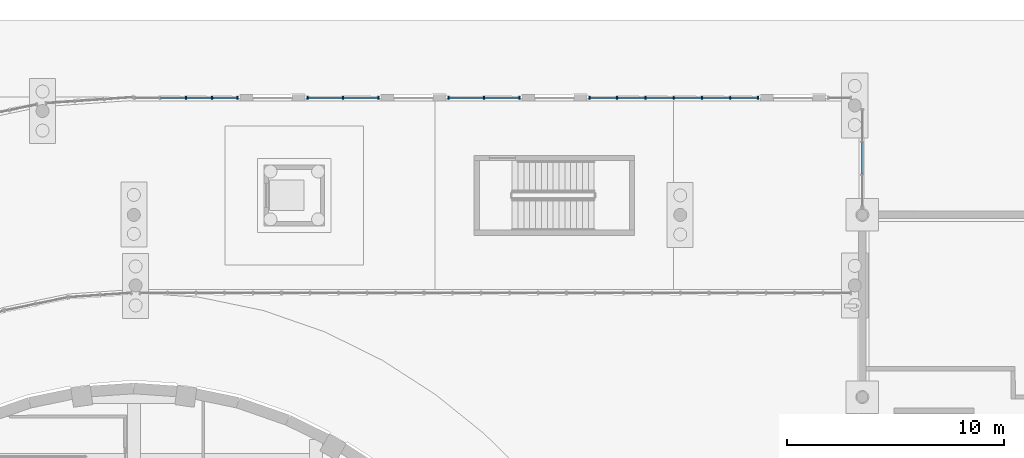
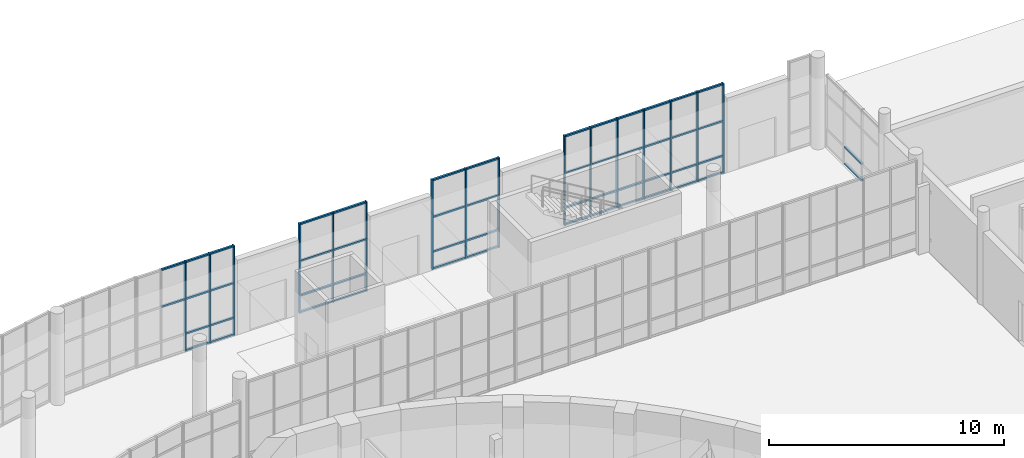
# One storey, part 36 of 110: 68 members, 5 elements without a shape of their own.
"""IFC4 building model written with IfcOpenShell, lengths in metres."""

import ifcopenshell
import ifcopenshell.guid

model = None  # the IFC model being written
_history = None  # IfcOwnerHistory: only IFC2X3 demands one
_inside = {}  # id of a spatial element -> (the spatial element, [elements in it])
_under = {}  # id of a project, library or spatial element -> (it, [spatial elements below it])
_declared = {}  # id of a project -> (the project, [libraries it declares])
_typed = {}  # id of a type object -> (the type object, [elements of that type])
_made_of = {}  # id of a material, layer set ... -> (it, [elements and type objects made of it])


def new_model(schema):
    """Start an empty IFC model of exactly this schema.

    Asked for "IFC4X3", IfcOpenShell would pick the latest addendum, in which some entities
    have other attributes; the version numbers below select the first issue.
    IFC2X3 requires an IfcOwnerHistory on every rooted entity: one is made here for all.
    """
    global model, _history
    if schema == "IFC4X3":
        model = ifcopenshell.file(schema_version=(4, 3, 0, 0))
    else:
        model = ifcopenshell.file(schema=schema)
    _inside.clear()
    _under.clear()
    _declared.clear()
    _typed.clear()
    _made_of.clear()
    _history = None
    if model.schema == "IFC2X3":
        org = make("IfcOrganization", Name="unknown")
        user = make(
            "IfcPersonAndOrganization",
            ThePerson=make("IfcPerson", FamilyName="unknown"),
            TheOrganization=org,
        )
        app = make(
            "IfcApplication",
            ApplicationDeveloper=org,
            Version="unknown",
            ApplicationFullName="unknown",
            ApplicationIdentifier="unknown",
        )
        _history = make(
            "IfcOwnerHistory",
            OwningUser=user,
            OwningApplication=app,
            ChangeAction="ADDED",
            CreationDate=0,
        )
    return model


def make(cls, **values):
    """One entity of the class cls with the attributes given. An attribute that is None is left unset."""
    return model.create_entity(
        cls, **{name: value for name, value in values.items() if value is not None}
    )


def rooted(cls, **values):
    """An entity with a GlobalId (a new one), such as an element, a storey or a relation."""
    return make(cls, GlobalId=ifcopenshell.guid.new(), OwnerHistory=_history, **values)


def si_unit(unit_type, name, prefix=None):
    """IfcSIUnit, for example si_unit("LENGTHUNIT", "METRE", prefix="MILLI")."""
    return make("IfcSIUnit", UnitType=unit_type, Prefix=prefix, Name=name)


def assignment(units):
    """IfcUnitAssignment: the units of a project."""
    return None if units is None else make("IfcUnitAssignment", Units=units)


def point(xyz):
    """IfcCartesianPoint."""
    return None if xyz is None else make("IfcCartesianPoint", Coordinates=xyz)


def direction(xyz):
    """IfcDirection."""
    return None if xyz is None else make("IfcDirection", DirectionRatios=xyz)


def frame(location, z_axis=None, x_axis=None):
    """IfcAxis2Placement3D, a coordinate frame: its origin and axes. An axis left out is left unset."""
    return make(
        "IfcAxis2Placement3D",
        Location=point(location),
        Axis=direction(z_axis),
        RefDirection=direction(x_axis),
    )


def frame_2d(location, x_axis=None):
    """IfcAxis2Placement2D, a coordinate frame in the plane: its origin and x axis."""
    return make(
        "IfcAxis2Placement2D", Location=point(location), RefDirection=direction(x_axis)
    )


def origin():
    """The frame at (0, 0, 0) with its axes left unset."""
    return frame((0.0, 0.0, 0.0))


def origin_2d():
    """The frame at (0, 0) in the plane with its x axis left unset."""
    return frame_2d((0.0, 0.0))


def place(relative_to, where):
    """IfcLocalPlacement: puts the frame where relative to a parent placement (None: the world)."""
    return make(
        "IfcLocalPlacement", PlacementRelTo=relative_to, RelativePlacement=where
    )


def context(
    kind, dimensions, precision=None, world=None, true_north=None, identifier=None
):
    """IfcGeometricRepresentationContext, for example the 3D "Model" context."""
    return make(
        "IfcGeometricRepresentationContext",
        ContextIdentifier=identifier,
        ContextType=kind,
        CoordinateSpaceDimension=dimensions,
        Precision=precision,
        WorldCoordinateSystem=world,
        TrueNorth=true_north,
    )


def subcontext(parent, identifier, kind, view, scale=None):
    """IfcGeometricRepresentationSubContext, for example "Body" below "Model"."""
    return make(
        "IfcGeometricRepresentationSubContext",
        ContextIdentifier=identifier,
        ContextType=kind,
        ParentContext=parent,
        TargetScale=scale,
        TargetView=view,
    )


def project(units=None, contexts=None):
    """IfcProject with its units and contexts."""
    return rooted(
        "IfcProject",
        Name="project",
        RepresentationContexts=contexts,
        UnitsInContext=assignment(units),
    )


def spatial(cls, under=None, at=None, **own):
    """A site, building, storey or space (cls), placed at a placement, below another one or the project."""
    s = rooted(cls, ObjectPlacement=at, **own)
    if under is not None:
        _under.setdefault(under.id(), (under, []))[1].append(s)
    return s


def profile(cls, at=None, kind="AREA", **sizes):
    """A parametric profile (cls). Its sizes go by their IFC names, for example OverallWidth=200.0."""
    return make(cls, ProfileType=kind, Position=at, **sizes)


def rectangle(**sizes):
    """IfcRectangleProfileDef."""
    return profile("IfcRectangleProfileDef", **sizes)


def extrude(swept, where, along, depth):
    """IfcExtrudedAreaSolid: the profile swept, set in the frame where, extruded along a direction by depth."""
    return make(
        "IfcExtrudedAreaSolid",
        SweptArea=swept,
        Position=where,
        ExtrudedDirection=direction(along),
        Depth=depth,
    )


def shape(context_of_items, identifier, shape_type, items):
    """IfcShapeRepresentation: the items that make up one representation, for example the "Body"."""
    return make(
        "IfcShapeRepresentation",
        ContextOfItems=context_of_items,
        RepresentationIdentifier=identifier,
        RepresentationType=shape_type,
        Items=items,
    )


def material(Name=None, Category=None):
    """IfcMaterial."""
    return make("IfcMaterial", Name=Name, Category=Category)


def layer(
    of_material, thickness, ventilated=None, Name=None, Category=None, Priority=None
):
    """IfcMaterialLayer: one layer of a wall or slab, of a material (None: an air gap)."""
    return make(
        "IfcMaterialLayer",
        Material=of_material,
        LayerThickness=thickness,
        IsVentilated=ventilated,
        Name=Name,
        Category=Category,
        Priority=Priority,
    )


def layer_set(layers, Name=None):
    """IfcMaterialLayerSet."""
    return make("IfcMaterialLayerSet", MaterialLayers=layers, LayerSetName=Name)


def material_profile(
    of_material, cross_section, Name=None, Category=None, Priority=None
):
    """IfcMaterialProfile: a cross section and its material."""
    return make(
        "IfcMaterialProfile",
        Name=Name,
        Material=of_material,
        Profile=cross_section,
        Priority=Priority,
        Category=Category,
    )


def profile_set(profiles, Name=None, composite=None):
    """IfcMaterialProfileSet."""
    return make(
        "IfcMaterialProfileSet",
        Name=Name,
        MaterialProfiles=profiles,
        CompositeProfile=composite,
    )


def made_of(thing, what):
    """Note that an element or type object is made of a material, layer set ...; save() writes the relation."""
    if what is not None:
        _made_of.setdefault(what.id(), (what, []))[1].append(thing)
    return thing


def type_object(cls, material=None, **own):
    """A type object (cls), such as IfcWallType, which elements share."""
    return made_of(rooted(cls, **own), material)


def element(
    cls,
    number,
    at=None,
    inside=None,
    cuts=None,
    type_object=None,
    material=None,
    context=None,
    identifier="Body",
    shape_type=None,
    held_by="IfcProductDefinitionShape",
    body=None,
    shapes=None,
    **own,
):
    """One element of the class cls, such as IfcWall. Its Tag is "e" and its number.

    at: its placement. inside: the storey or other place that contains it. cuts: it is an
    opening in that element (IfcRelVoidsElement). A single representation is given by context,
    identifier, shape_type and body (its items); several are given by shapes. held_by: the class
    of the entity that holds the representations. save() writes the other relations.
    """
    e = rooted(cls, Tag="e%d" % number, ObjectPlacement=at, **own)
    if body is not None:
        shapes = [shape(context, identifier, shape_type, body)]
    if shapes is not None:
        e.Representation = make(held_by, Representations=shapes)
    if inside is not None:
        _inside.setdefault(inside.id(), (inside, []))[1].append(e)
    if cuts is not None:
        rooted(
            "IfcRelVoidsElement", RelatingBuildingElement=cuts, RelatedOpeningElement=e
        )
    if type_object is not None:
        _typed.setdefault(type_object.id(), (type_object, []))[1].append(e)
    return made_of(e, material)


def aggregate(whole, parts):
    """IfcRelAggregates: a whole, such as a stair, and the parts it consists of."""
    return rooted("IfcRelAggregates", RelatingObject=whole, RelatedObjects=parts)


def save(model, path):
    """Write the relations noted so far, then the file.

    IfcRelAggregates (storeys below a building ...), IfcRelContainedInSpatialStructure (elements
    in a storey), IfcRelDefinesByType, IfcRelAssociatesMaterial and IfcRelDeclares: one each for
    every whole, place, type object, material and project.
    """
    for whole, parts in _under.values():
        aggregate(whole, parts)
    for where, things in _inside.values():
        rooted(
            "IfcRelContainedInSpatialStructure",
            RelatedElements=things,
            RelatingStructure=where,
        )
    for kind, things in _typed.values():
        rooted("IfcRelDefinesByType", RelatedObjects=things, RelatingType=kind)
    for what, things in _made_of.values():
        rooted("IfcRelAssociatesMaterial", RelatedObjects=things, RelatingMaterial=what)
    for by, libraries in _declared.values():
        rooted("IfcRelDeclares", RelatingContext=by, RelatedDefinitions=libraries)
    model.write(path)


model = new_model("IFC4")

# Units and contexts
model_context = context("Model", 3, precision=1e-05, world=origin(), true_north=direction((0.0, 1.0)))
body_context = subcontext(model_context, "Body", "Model", "MODEL_VIEW")
ifc_project = project(units=[si_unit("LENGTHUNIT", "METRE"), si_unit("AREAUNIT", "SQUARE_METRE"), si_unit("VOLUMEUNIT", "CUBIC_METRE"), si_unit("PLANEANGLEUNIT", "RADIAN"), si_unit("MASSUNIT", "GRAM", prefix="KILO")], contexts=[model_context])

# Site, building, storey
site_placement = place(None, origin())
site = spatial("IfcSite", under=ifc_project, at=site_placement, CompositionType="ELEMENT")
building_placement = place(site_placement, origin())
building = spatial("IfcBuilding", under=site, at=building_placement, Name="Larchfold Concert Hall", CompositionType="ELEMENT")
storey_placement = place(building_placement, origin())
storey = spatial("IfcBuildingStorey", under=building, at=storey_placement, Name="L00", CompositionType="ELEMENT", Elevation=0.0)

# Curtain wall, members
ifc_material_1 = material(Name="Anodised graphite aluminium curtain wall", Category="aluminium")
ifc_layer = layer(ifc_material_1, 0.14990234375)
ifc_layer_set = layer_set([ifc_layer], Name="Anodised graphite aluminium curtain wall")
curtain_wall_type = type_object("IfcCurtainWallType", Name="Curtain wall WG", PredefinedType="NOTDEFINED", material=ifc_layer_set)
curtain_wall_1_placement = place(storey_placement, origin())
curtain_wall_1 = element("IfcCurtainWall", 1, at=curtain_wall_1_placement, inside=storey, type_object=curtain_wall_type, Name="Curtain wall CW0097", PredefinedType="NOTDEFINED")
ifc_material_2 = material(Name="Anodised graphite aluminium mullion", Category="aluminium")
ifc_material_profile_1 = material_profile(ifc_material_2, rectangle(XDim=0.14990234375, YDim=0.06005859375, at=origin_2d()))
ifc_profile_set_1 = profile_set([ifc_material_profile_1], Name="Anodised graphite aluminium mullion")
member_type_1 = type_object("IfcMemberType", Name="Aluminium mullion 60x150", PredefinedType="MULLION", material=ifc_profile_set_1)
member_1_placement = place(storey_placement, frame((71.385009765625, 132.0, 0.0), z_axis=(0.0, 0.0, 1.0), x_axis=(0.0, -1.0, 0.0)))
member_1 = element("IfcMember", 2, at=member_1_placement, type_object=member_type_1, Name="CW0097 mullion 1", PredefinedType="MULLION", context=body_context, shape_type="SweptSolid", body=[
    extrude(rectangle(XDim=0.14990234375, YDim=0.06005859375, at=origin_2d()), origin(), (0.0, 0.0, 1.0), 4.64990234375),
])
member_2_placement = place(storey_placement, frame((70.110107421875, 132.0, 0.0), z_axis=(0.0, 0.0, 1.0), x_axis=(0.0, -1.0, 0.0)))
member_2 = element("IfcMember", 3, at=member_2_placement, type_object=member_type_1, Name="CW0097 mullion 2", PredefinedType="MULLION", context=body_context, shape_type="SweptSolid", body=[
    extrude(rectangle(XDim=0.14990234375, YDim=0.06005859375, at=origin_2d()), origin(), (0.0, 0.0, 1.0), 4.64990234375),
])
member_3_placement = place(storey_placement, frame((68.804931640625, 132.0, 0.0), z_axis=(0.0, 0.0, 1.0), x_axis=(0.0, -1.0, 0.0)))
member_3 = element("IfcMember", 4, at=member_3_placement, type_object=member_type_1, Name="CW0097 mullion 3", PredefinedType="MULLION", context=body_context, shape_type="SweptSolid", body=[
    extrude(rectangle(XDim=0.14990234375, YDim=0.06005859375, at=origin_2d()), origin(), (0.0, 0.0, 1.0), 4.64990234375),
])
member_4_placement = place(storey_placement, frame((67.5, 132.0, 0.0), z_axis=(0.0, 0.0, 1.0), x_axis=(0.0, -1.0, 0.0)))
member_4 = element("IfcMember", 5, at=member_4_placement, type_object=member_type_1, Name="CW0097 mullion 4", PredefinedType="MULLION", context=body_context, shape_type="SweptSolid", body=[
    extrude(rectangle(XDim=0.14990234375, YDim=0.06005859375, at=origin_2d()), origin(), (0.0, 0.0, 1.0), 4.64990234375),
])
member_5_placement = place(storey_placement, frame((66.195068359375, 132.0, 0.0), z_axis=(0.0, 0.0, 1.0), x_axis=(0.0, -1.0, 0.0)))
member_5 = element("IfcMember", 6, at=member_5_placement, type_object=member_type_1, Name="CW0097 mullion 5", PredefinedType="MULLION", context=body_context, shape_type="SweptSolid", body=[
    extrude(rectangle(XDim=0.14990234375, YDim=0.06005859375, at=origin_2d()), origin(), (0.0, 0.0, 1.0), 4.64990234375),
])
member_6_placement = place(storey_placement, frame((64.889892578125, 132.0, 0.0), z_axis=(0.0, 0.0, 1.0), x_axis=(0.0, -1.0, 0.0)))
member_6 = element("IfcMember", 7, at=member_6_placement, type_object=member_type_1, Name="CW0097 mullion 6", PredefinedType="MULLION", context=body_context, shape_type="SweptSolid", body=[
    extrude(rectangle(XDim=0.14990234375, YDim=0.06005859375, at=origin_2d()), origin(), (0.0, 0.0, 1.0), 4.64990234375),
])
member_7_placement = place(storey_placement, frame((63.614990234375, 132.0, 0.0), z_axis=(0.0, 0.0, 1.0), x_axis=(0.0, -1.0, 0.0)))
member_7 = element("IfcMember", 8, at=member_7_placement, type_object=member_type_1, Name="CW0097 mullion 7", PredefinedType="MULLION", context=body_context, shape_type="SweptSolid", body=[
    extrude(rectangle(XDim=0.14990234375, YDim=0.06005859375, at=origin_2d()), origin(), (0.0, 0.0, 1.0), 4.64990234375),
])

curtain_wall_2_placement = place(storey_placement, origin())
curtain_wall_2 = element("IfcCurtainWall", 9, at=curtain_wall_2_placement, inside=storey, type_object=curtain_wall_type, Name="Curtain wall CW0098", PredefinedType="NOTDEFINED")
member_8_placement = place(storey_placement, frame((60.385009765625, 132.0, 0.0), z_axis=(0.0, 0.0, 1.0), x_axis=(0.0, -1.0, 0.0)))
member_8 = element("IfcMember", 10, at=member_8_placement, type_object=member_type_1, Name="CW0098 mullion 1", PredefinedType="MULLION", context=body_context, shape_type="SweptSolid", body=[
    extrude(rectangle(XDim=0.14990234375, YDim=0.06005859375, at=origin_2d()), origin(), (0.0, 0.0, 1.0), 4.64990234375),
])
member_9_placement = place(storey_placement, frame((58.75, 132.0, 0.0), z_axis=(0.0, 0.0, 1.0), x_axis=(0.0, -1.0, 0.0)))
member_9 = element("IfcMember", 11, at=member_9_placement, type_object=member_type_1, Name="CW0098 mullion 2", PredefinedType="MULLION", context=body_context, shape_type="SweptSolid", body=[
    extrude(rectangle(XDim=0.14990234375, YDim=0.06005859375, at=origin_2d()), origin(), (0.0, 0.0, 1.0), 4.64990234375),
])
member_10_placement = place(storey_placement, frame((57.114990234375, 132.0, 0.0), z_axis=(0.0, 0.0, 1.0), x_axis=(0.0, -1.0, 0.0)))
member_10 = element("IfcMember", 12, at=member_10_placement, type_object=member_type_1, Name="CW0098 mullion 3", PredefinedType="MULLION", context=body_context, shape_type="SweptSolid", body=[
    extrude(rectangle(XDim=0.14990234375, YDim=0.06005859375, at=origin_2d()), origin(), (0.0, 0.0, 1.0), 4.64990234375),
])

curtain_wall_3_placement = place(storey_placement, origin())
curtain_wall_3 = element("IfcCurtainWall", 13, at=curtain_wall_3_placement, inside=storey, type_object=curtain_wall_type, Name="Curtain wall CW0099", PredefinedType="NOTDEFINED")
member_11_placement = place(storey_placement, frame((53.885009765625, 132.0, 0.0), z_axis=(0.0, 0.0, 1.0), x_axis=(0.0, -1.0, 0.0)))
member_11 = element("IfcMember", 14, at=member_11_placement, type_object=member_type_1, Name="CW0099 mullion 1", PredefinedType="MULLION", context=body_context, shape_type="SweptSolid", body=[
    extrude(rectangle(XDim=0.14990234375, YDim=0.06005859375, at=origin_2d()), origin(), (0.0, 0.0, 1.0), 4.64990234375),
])
member_12_placement = place(storey_placement, frame((52.25, 132.0, 0.0), z_axis=(0.0, 0.0, 1.0), x_axis=(0.0, -1.0, 0.0)))
member_12 = element("IfcMember", 15, at=member_12_placement, type_object=member_type_1, Name="CW0099 mullion 2", PredefinedType="MULLION", context=body_context, shape_type="SweptSolid", body=[
    extrude(rectangle(XDim=0.14990234375, YDim=0.06005859375, at=origin_2d()), origin(), (0.0, 0.0, 1.0), 4.64990234375),
])
member_13_placement = place(storey_placement, frame((50.614990234375, 132.0, 0.0), z_axis=(0.0, 0.0, 1.0), x_axis=(0.0, -1.0, 0.0)))
member_13 = element("IfcMember", 16, at=member_13_placement, type_object=member_type_1, Name="CW0099 mullion 3", PredefinedType="MULLION", context=body_context, shape_type="SweptSolid", body=[
    extrude(rectangle(XDim=0.14990234375, YDim=0.06005859375, at=origin_2d()), origin(), (0.0, 0.0, 1.0), 4.64990234375),
])

curtain_wall_4_placement = place(storey_placement, origin())
curtain_wall_4 = element("IfcCurtainWall", 17, at=curtain_wall_4_placement, inside=storey, type_object=curtain_wall_type, Name="Curtain wall CW0100", PredefinedType="NOTDEFINED")
member_14_placement = place(storey_placement, frame((47.385009765625, 132.0, 0.0), z_axis=(0.0, 0.0, 1.0), x_axis=(0.0, -1.0, 0.0)))
member_14 = element("IfcMember", 18, at=member_14_placement, type_object=member_type_1, Name="CW0100 mullion 1", PredefinedType="MULLION", context=body_context, shape_type="SweptSolid", body=[
    extrude(rectangle(XDim=0.14990234375, YDim=0.06005859375, at=origin_2d()), origin(), (0.0, 0.0, 1.0), 4.64990234375),
])
member_15_placement = place(storey_placement, frame((46.211181640625, 132.0, 0.0), z_axis=(0.0, 0.0, 1.0), x_axis=(0.0, -1.0, 0.0)))
member_15 = element("IfcMember", 19, at=member_15_placement, type_object=member_type_1, Name="CW0100 mullion 2", PredefinedType="MULLION", context=body_context, shape_type="SweptSolid", body=[
    extrude(rectangle(XDim=0.14990234375, YDim=0.06005859375, at=origin_2d()), origin(), (0.0, 0.0, 1.0), 4.64990234375),
])
member_16_placement = place(storey_placement, frame((45.007568359375, 132.0, 0.0), z_axis=(0.0, 0.0, 1.0), x_axis=(0.0, -1.0, 0.0)))
member_16 = element("IfcMember", 20, at=member_16_placement, type_object=member_type_1, Name="CW0100 mullion 3", PredefinedType="MULLION", context=body_context, shape_type="SweptSolid", body=[
    extrude(rectangle(XDim=0.14990234375, YDim=0.06005859375, at=origin_2d()), origin(), (0.0, 0.0, 1.0), 4.64990234375),
])

curtain_wall_5_placement = place(storey_placement, origin())
curtain_wall_5 = element("IfcCurtainWall", 21, at=curtain_wall_5_placement, inside=storey, type_object=curtain_wall_type, Name="Curtain wall CW0095", PredefinedType="NOTDEFINED")
ifc_material_3 = material(Name="Anodised graphite aluminium transom", Category="aluminium")
ifc_material_profile_2 = material_profile(ifc_material_3, rectangle(XDim=0.10009765625, YDim=0.080078125, at=origin_2d()))
ifc_profile_set_2 = profile_set([ifc_material_profile_2], Name="Anodised graphite aluminium transom")
member_type_2 = type_object("IfcMemberType", Name="Aluminium transom 80x100", PredefinedType="USERDEFINED", material=ifc_profile_set_2)
member_17_placement = place(storey_placement, frame((76.199951171875, 128.484619140625, 0.0400390625), z_axis=(0.0, 1.0, 0.0), x_axis=(-1.0, 0.0, 0.0)))
member_17 = element("IfcMember", 22, at=member_17_placement, type_object=member_type_2, Name="CW0095 transom 2.1", ObjectType="TRANSOM", PredefinedType="USERDEFINED", context=body_context, shape_type="SweptSolid", body=[
    extrude(rectangle(XDim=0.10009765625, YDim=0.080078125, at=origin_2d()), origin(), (0.0, 0.0, 1.0), 1.458740234375),
])
member_18_placement = place(storey_placement, frame((76.199951171875, 128.484619140625, 0.89990234375), z_axis=(0.0, 1.0, 0.0), x_axis=(-1.0, 0.0, 0.0)))
member_18 = element("IfcMember", 23, at=member_18_placement, type_object=member_type_2, Name="CW0095 transom 2.2", ObjectType="TRANSOM", PredefinedType="USERDEFINED", context=body_context, shape_type="SweptSolid", body=[
    extrude(rectangle(XDim=0.10009765625, YDim=0.080078125, at=origin_2d()), origin(), (0.0, 0.0, 1.0), 1.458740234375),
])
aggregate(curtain_wall_5, [member_17, member_18])

# Member
member_19_placement = place(storey_placement, frame((71.35498046875, 132.0, 0.0400390625), z_axis=(-1.0, 0.0, 0.0), x_axis=(0.0, -1.0, 0.0)))
member_19 = element("IfcMember", 24, at=member_19_placement, type_object=member_type_2, Name="CW0097 transom 1.1", ObjectType="TRANSOM", PredefinedType="USERDEFINED", context=body_context, shape_type="SweptSolid", body=[
    extrude(rectangle(XDim=0.10009765625, YDim=0.080078125, at=origin_2d()), origin(), (0.0, 0.0, 1.0), 1.21484375),
])

member_20_placement = place(storey_placement, frame((71.35498046875, 132.0, 0.89990234375), z_axis=(-1.0, 0.0, 0.0), x_axis=(0.0, -1.0, 0.0)))
member_20 = element("IfcMember", 25, at=member_20_placement, type_object=member_type_2, Name="CW0097 transom 1.2", ObjectType="TRANSOM", PredefinedType="USERDEFINED", context=body_context, shape_type="SweptSolid", body=[
    extrude(rectangle(XDim=0.10009765625, YDim=0.080078125, at=origin_2d()), origin(), (0.0, 0.0, 1.0), 1.21484375),
])

member_21_placement = place(storey_placement, frame((71.35498046875, 132.0, 2.699951171875), z_axis=(-1.0, 0.0, 0.0), x_axis=(0.0, -1.0, 0.0)))
member_21 = element("IfcMember", 26, at=member_21_placement, type_object=member_type_2, Name="CW0097 transom 1.3", ObjectType="TRANSOM", PredefinedType="USERDEFINED", context=body_context, shape_type="SweptSolid", body=[
    extrude(rectangle(XDim=0.10009765625, YDim=0.080078125, at=origin_2d()), origin(), (0.0, 0.0, 1.0), 1.21484375),
])

member_22_placement = place(storey_placement, frame((71.35498046875, 132.0, 4.60986328125), z_axis=(-1.0, 0.0, 0.0), x_axis=(0.0, -1.0, 0.0)))
member_22 = element("IfcMember", 27, at=member_22_placement, type_object=member_type_2, Name="CW0097 transom 1.4", ObjectType="TRANSOM", PredefinedType="USERDEFINED", context=body_context, shape_type="SweptSolid", body=[
    extrude(rectangle(XDim=0.10009765625, YDim=0.080078125, at=origin_2d()), origin(), (0.0, 0.0, 1.0), 1.21484375),
])

member_23_placement = place(storey_placement, frame((70.080078125, 132.0, 0.0400390625), z_axis=(-1.0, 0.0, 0.0), x_axis=(0.0, -1.0, 0.0)))
member_23 = element("IfcMember", 28, at=member_23_placement, type_object=member_type_2, Name="CW0097 transom 2.1", ObjectType="TRANSOM", PredefinedType="USERDEFINED", context=body_context, shape_type="SweptSolid", body=[
    extrude(rectangle(XDim=0.10009765625, YDim=0.080078125, at=origin_2d()), origin(), (0.0, 0.0, 1.0), 1.2451171875),
])

member_24_placement = place(storey_placement, frame((70.080078125, 132.0, 0.89990234375), z_axis=(-1.0, 0.0, 0.0), x_axis=(0.0, -1.0, 0.0)))
member_24 = element("IfcMember", 29, at=member_24_placement, type_object=member_type_2, Name="CW0097 transom 2.2", ObjectType="TRANSOM", PredefinedType="USERDEFINED", context=body_context, shape_type="SweptSolid", body=[
    extrude(rectangle(XDim=0.10009765625, YDim=0.080078125, at=origin_2d()), origin(), (0.0, 0.0, 1.0), 1.2451171875),
])

member_25_placement = place(storey_placement, frame((70.080078125, 132.0, 2.699951171875), z_axis=(-1.0, 0.0, 0.0), x_axis=(0.0, -1.0, 0.0)))
member_25 = element("IfcMember", 30, at=member_25_placement, type_object=member_type_2, Name="CW0097 transom 2.3", ObjectType="TRANSOM", PredefinedType="USERDEFINED", context=body_context, shape_type="SweptSolid", body=[
    extrude(rectangle(XDim=0.10009765625, YDim=0.080078125, at=origin_2d()), origin(), (0.0, 0.0, 1.0), 1.2451171875),
])

member_26_placement = place(storey_placement, frame((70.080078125, 132.0, 4.60986328125), z_axis=(-1.0, 0.0, 0.0), x_axis=(0.0, -1.0, 0.0)))
member_26 = element("IfcMember", 31, at=member_26_placement, type_object=member_type_2, Name="CW0097 transom 2.4", ObjectType="TRANSOM", PredefinedType="USERDEFINED", context=body_context, shape_type="SweptSolid", body=[
    extrude(rectangle(XDim=0.10009765625, YDim=0.080078125, at=origin_2d()), origin(), (0.0, 0.0, 1.0), 1.2451171875),
])

member_27_placement = place(storey_placement, frame((68.77490234375, 132.0, 0.0400390625), z_axis=(-1.0, 0.0, 0.0), x_axis=(0.0, -1.0, 0.0)))
member_27 = element("IfcMember", 32, at=member_27_placement, type_object=member_type_2, Name="CW0097 transom 3.1", ObjectType="TRANSOM", PredefinedType="USERDEFINED", context=body_context, shape_type="SweptSolid", body=[
    extrude(rectangle(XDim=0.10009765625, YDim=0.080078125, at=origin_2d()), origin(), (0.0, 0.0, 1.0), 1.244873046875),
])

member_28_placement = place(storey_placement, frame((68.77490234375, 132.0, 0.89990234375), z_axis=(-1.0, 0.0, 0.0), x_axis=(0.0, -1.0, 0.0)))
member_28 = element("IfcMember", 33, at=member_28_placement, type_object=member_type_2, Name="CW0097 transom 3.2", ObjectType="TRANSOM", PredefinedType="USERDEFINED", context=body_context, shape_type="SweptSolid", body=[
    extrude(rectangle(XDim=0.10009765625, YDim=0.080078125, at=origin_2d()), origin(), (0.0, 0.0, 1.0), 1.244873046875),
])

member_29_placement = place(storey_placement, frame((68.77490234375, 132.0, 2.699951171875), z_axis=(-1.0, 0.0, 0.0), x_axis=(0.0, -1.0, 0.0)))
member_29 = element("IfcMember", 34, at=member_29_placement, type_object=member_type_2, Name="CW0097 transom 3.3", ObjectType="TRANSOM", PredefinedType="USERDEFINED", context=body_context, shape_type="SweptSolid", body=[
    extrude(rectangle(XDim=0.10009765625, YDim=0.080078125, at=origin_2d()), origin(), (0.0, 0.0, 1.0), 1.244873046875),
])

member_30_placement = place(storey_placement, frame((68.77490234375, 132.0, 4.60986328125), z_axis=(-1.0, 0.0, 0.0), x_axis=(0.0, -1.0, 0.0)))
member_30 = element("IfcMember", 35, at=member_30_placement, type_object=member_type_2, Name="CW0097 transom 3.4", ObjectType="TRANSOM", PredefinedType="USERDEFINED", context=body_context, shape_type="SweptSolid", body=[
    extrude(rectangle(XDim=0.10009765625, YDim=0.080078125, at=origin_2d()), origin(), (0.0, 0.0, 1.0), 1.244873046875),
])

member_31_placement = place(storey_placement, frame((67.469970703125, 132.0, 0.0400390625), z_axis=(-1.0, 0.0, 0.0), x_axis=(0.0, -1.0, 0.0)))
member_31 = element("IfcMember", 36, at=member_31_placement, type_object=member_type_2, Name="CW0097 transom 4.1", ObjectType="TRANSOM", PredefinedType="USERDEFINED", context=body_context, shape_type="SweptSolid", body=[
    extrude(rectangle(XDim=0.10009765625, YDim=0.080078125, at=origin_2d()), origin(), (0.0, 0.0, 1.0), 1.244873046875),
])

member_32_placement = place(storey_placement, frame((67.469970703125, 132.0, 0.89990234375), z_axis=(-1.0, 0.0, 0.0), x_axis=(0.0, -1.0, 0.0)))
member_32 = element("IfcMember", 37, at=member_32_placement, type_object=member_type_2, Name="CW0097 transom 4.2", ObjectType="TRANSOM", PredefinedType="USERDEFINED", context=body_context, shape_type="SweptSolid", body=[
    extrude(rectangle(XDim=0.10009765625, YDim=0.080078125, at=origin_2d()), origin(), (0.0, 0.0, 1.0), 1.244873046875),
])

member_33_placement = place(storey_placement, frame((67.469970703125, 132.0, 2.699951171875), z_axis=(-1.0, 0.0, 0.0), x_axis=(0.0, -1.0, 0.0)))
member_33 = element("IfcMember", 38, at=member_33_placement, type_object=member_type_2, Name="CW0097 transom 4.3", ObjectType="TRANSOM", PredefinedType="USERDEFINED", context=body_context, shape_type="SweptSolid", body=[
    extrude(rectangle(XDim=0.10009765625, YDim=0.080078125, at=origin_2d()), origin(), (0.0, 0.0, 1.0), 1.244873046875),
])

member_34_placement = place(storey_placement, frame((67.469970703125, 132.0, 4.60986328125), z_axis=(-1.0, 0.0, 0.0), x_axis=(0.0, -1.0, 0.0)))
member_34 = element("IfcMember", 39, at=member_34_placement, type_object=member_type_2, Name="CW0097 transom 4.4", ObjectType="TRANSOM", PredefinedType="USERDEFINED", context=body_context, shape_type="SweptSolid", body=[
    extrude(rectangle(XDim=0.10009765625, YDim=0.080078125, at=origin_2d()), origin(), (0.0, 0.0, 1.0), 1.244873046875),
])

member_35_placement = place(storey_placement, frame((66.1650390625, 132.0, 0.0400390625), z_axis=(-1.0, 0.0, 0.0), x_axis=(0.0, -1.0, 0.0)))
member_35 = element("IfcMember", 40, at=member_35_placement, type_object=member_type_2, Name="CW0097 transom 5.1", ObjectType="TRANSOM", PredefinedType="USERDEFINED", context=body_context, shape_type="SweptSolid", body=[
    extrude(rectangle(XDim=0.10009765625, YDim=0.080078125, at=origin_2d()), origin(), (0.0, 0.0, 1.0), 1.2451171875),
])

member_36_placement = place(storey_placement, frame((66.1650390625, 132.0, 0.89990234375), z_axis=(-1.0, 0.0, 0.0), x_axis=(0.0, -1.0, 0.0)))
member_36 = element("IfcMember", 41, at=member_36_placement, type_object=member_type_2, Name="CW0097 transom 5.2", ObjectType="TRANSOM", PredefinedType="USERDEFINED", context=body_context, shape_type="SweptSolid", body=[
    extrude(rectangle(XDim=0.10009765625, YDim=0.080078125, at=origin_2d()), origin(), (0.0, 0.0, 1.0), 1.2451171875),
])

member_37_placement = place(storey_placement, frame((66.1650390625, 132.0, 2.699951171875), z_axis=(-1.0, 0.0, 0.0), x_axis=(0.0, -1.0, 0.0)))
member_37 = element("IfcMember", 42, at=member_37_placement, type_object=member_type_2, Name="CW0097 transom 5.3", ObjectType="TRANSOM", PredefinedType="USERDEFINED", context=body_context, shape_type="SweptSolid", body=[
    extrude(rectangle(XDim=0.10009765625, YDim=0.080078125, at=origin_2d()), origin(), (0.0, 0.0, 1.0), 1.2451171875),
])

member_38_placement = place(storey_placement, frame((66.1650390625, 132.0, 4.60986328125), z_axis=(-1.0, 0.0, 0.0), x_axis=(0.0, -1.0, 0.0)))
member_38 = element("IfcMember", 43, at=member_38_placement, type_object=member_type_2, Name="CW0097 transom 5.4", ObjectType="TRANSOM", PredefinedType="USERDEFINED", context=body_context, shape_type="SweptSolid", body=[
    extrude(rectangle(XDim=0.10009765625, YDim=0.080078125, at=origin_2d()), origin(), (0.0, 0.0, 1.0), 1.2451171875),
])

member_39_placement = place(storey_placement, frame((64.85986328125, 132.0, 0.0400390625), z_axis=(-1.0, 0.0, 0.0), x_axis=(0.0, -1.0, 0.0)))
member_39 = element("IfcMember", 44, at=member_39_placement, type_object=member_type_2, Name="CW0097 transom 6.1", ObjectType="TRANSOM", PredefinedType="USERDEFINED", context=body_context, shape_type="SweptSolid", body=[
    extrude(rectangle(XDim=0.10009765625, YDim=0.080078125, at=origin_2d()), origin(), (0.0, 0.0, 1.0), 1.21484375),
])

member_40_placement = place(storey_placement, frame((64.85986328125, 132.0, 0.89990234375), z_axis=(-1.0, 0.0, 0.0), x_axis=(0.0, -1.0, 0.0)))
member_40 = element("IfcMember", 45, at=member_40_placement, type_object=member_type_2, Name="CW0097 transom 6.2", ObjectType="TRANSOM", PredefinedType="USERDEFINED", context=body_context, shape_type="SweptSolid", body=[
    extrude(rectangle(XDim=0.10009765625, YDim=0.080078125, at=origin_2d()), origin(), (0.0, 0.0, 1.0), 1.21484375),
])

member_41_placement = place(storey_placement, frame((64.85986328125, 132.0, 2.699951171875), z_axis=(-1.0, 0.0, 0.0), x_axis=(0.0, -1.0, 0.0)))
member_41 = element("IfcMember", 46, at=member_41_placement, type_object=member_type_2, Name="CW0097 transom 6.3", ObjectType="TRANSOM", PredefinedType="USERDEFINED", context=body_context, shape_type="SweptSolid", body=[
    extrude(rectangle(XDim=0.10009765625, YDim=0.080078125, at=origin_2d()), origin(), (0.0, 0.0, 1.0), 1.21484375),
])

member_42_placement = place(storey_placement, frame((64.85986328125, 132.0, 4.60986328125), z_axis=(-1.0, 0.0, 0.0), x_axis=(0.0, -1.0, 0.0)))
member_42 = element("IfcMember", 47, at=member_42_placement, type_object=member_type_2, Name="CW0097 transom 6.4", ObjectType="TRANSOM", PredefinedType="USERDEFINED", context=body_context, shape_type="SweptSolid", body=[
    extrude(rectangle(XDim=0.10009765625, YDim=0.080078125, at=origin_2d()), origin(), (0.0, 0.0, 1.0), 1.21484375),
])

aggregate(curtain_wall_1, [member_1, member_2, member_3, member_4, member_5, member_6, member_7, member_19, member_20, member_21, member_22, member_23, member_24, member_25, member_26, member_27, member_28, member_29, member_30, member_31, member_32, member_33, member_34, member_35, member_36, member_37, member_38, member_39, member_40, member_41, member_42])

member_43_placement = place(storey_placement, frame((60.35498046875, 132.0, 0.0400390625), z_axis=(-1.0, 0.0, 0.0), x_axis=(0.0, -1.0, 0.0)))
member_43 = element("IfcMember", 48, at=member_43_placement, type_object=member_type_2, Name="CW0098 transom 1.1", ObjectType="TRANSOM", PredefinedType="USERDEFINED", context=body_context, shape_type="SweptSolid", body=[
    extrude(rectangle(XDim=0.10009765625, YDim=0.080078125, at=origin_2d()), origin(), (0.0, 0.0, 1.0), 1.574951171875),
])

member_44_placement = place(storey_placement, frame((60.35498046875, 132.0, 0.89990234375), z_axis=(-1.0, 0.0, 0.0), x_axis=(0.0, -1.0, 0.0)))
member_44 = element("IfcMember", 49, at=member_44_placement, type_object=member_type_2, Name="CW0098 transom 1.2", ObjectType="TRANSOM", PredefinedType="USERDEFINED", context=body_context, shape_type="SweptSolid", body=[
    extrude(rectangle(XDim=0.10009765625, YDim=0.080078125, at=origin_2d()), origin(), (0.0, 0.0, 1.0), 1.574951171875),
])

member_45_placement = place(storey_placement, frame((60.35498046875, 132.0, 2.699951171875), z_axis=(-1.0, 0.0, 0.0), x_axis=(0.0, -1.0, 0.0)))
member_45 = element("IfcMember", 50, at=member_45_placement, type_object=member_type_2, Name="CW0098 transom 1.3", ObjectType="TRANSOM", PredefinedType="USERDEFINED", context=body_context, shape_type="SweptSolid", body=[
    extrude(rectangle(XDim=0.10009765625, YDim=0.080078125, at=origin_2d()), origin(), (0.0, 0.0, 1.0), 1.574951171875),
])

member_46_placement = place(storey_placement, frame((60.35498046875, 132.0, 4.60986328125), z_axis=(-1.0, 0.0, 0.0), x_axis=(0.0, -1.0, 0.0)))
member_46 = element("IfcMember", 51, at=member_46_placement, type_object=member_type_2, Name="CW0098 transom 1.4", ObjectType="TRANSOM", PredefinedType="USERDEFINED", context=body_context, shape_type="SweptSolid", body=[
    extrude(rectangle(XDim=0.10009765625, YDim=0.080078125, at=origin_2d()), origin(), (0.0, 0.0, 1.0), 1.574951171875),
])

member_47_placement = place(storey_placement, frame((58.719970703125, 132.0, 0.0400390625), z_axis=(-1.0, 0.0, 0.0), x_axis=(0.0, -1.0, 0.0)))
member_47 = element("IfcMember", 52, at=member_47_placement, type_object=member_type_2, Name="CW0098 transom 2.1", ObjectType="TRANSOM", PredefinedType="USERDEFINED", context=body_context, shape_type="SweptSolid", body=[
    extrude(rectangle(XDim=0.10009765625, YDim=0.080078125, at=origin_2d()), origin(), (0.0, 0.0, 1.0), 1.574951171875),
])

member_48_placement = place(storey_placement, frame((58.719970703125, 132.0, 0.89990234375), z_axis=(-1.0, 0.0, 0.0), x_axis=(0.0, -1.0, 0.0)))
member_48 = element("IfcMember", 53, at=member_48_placement, type_object=member_type_2, Name="CW0098 transom 2.2", ObjectType="TRANSOM", PredefinedType="USERDEFINED", context=body_context, shape_type="SweptSolid", body=[
    extrude(rectangle(XDim=0.10009765625, YDim=0.080078125, at=origin_2d()), origin(), (0.0, 0.0, 1.0), 1.574951171875),
])

member_49_placement = place(storey_placement, frame((58.719970703125, 132.0, 2.699951171875), z_axis=(-1.0, 0.0, 0.0), x_axis=(0.0, -1.0, 0.0)))
member_49 = element("IfcMember", 54, at=member_49_placement, type_object=member_type_2, Name="CW0098 transom 2.3", ObjectType="TRANSOM", PredefinedType="USERDEFINED", context=body_context, shape_type="SweptSolid", body=[
    extrude(rectangle(XDim=0.10009765625, YDim=0.080078125, at=origin_2d()), origin(), (0.0, 0.0, 1.0), 1.574951171875),
])

member_50_placement = place(storey_placement, frame((58.719970703125, 132.0, 4.60986328125), z_axis=(-1.0, 0.0, 0.0), x_axis=(0.0, -1.0, 0.0)))
member_50 = element("IfcMember", 55, at=member_50_placement, type_object=member_type_2, Name="CW0098 transom 2.4", ObjectType="TRANSOM", PredefinedType="USERDEFINED", context=body_context, shape_type="SweptSolid", body=[
    extrude(rectangle(XDim=0.10009765625, YDim=0.080078125, at=origin_2d()), origin(), (0.0, 0.0, 1.0), 1.574951171875),
])

aggregate(curtain_wall_2, [member_8, member_9, member_10, member_43, member_44, member_45, member_46, member_47, member_48, member_49, member_50])

member_51_placement = place(storey_placement, frame((53.85498046875, 132.0, 0.0400390625), z_axis=(-1.0, 0.0, 0.0), x_axis=(0.0, -1.0, 0.0)))
member_51 = element("IfcMember", 56, at=member_51_placement, type_object=member_type_2, Name="CW0099 transom 1.1", ObjectType="TRANSOM", PredefinedType="USERDEFINED", context=body_context, shape_type="SweptSolid", body=[
    extrude(rectangle(XDim=0.10009765625, YDim=0.080078125, at=origin_2d()), origin(), (0.0, 0.0, 1.0), 1.574951171875),
])

member_52_placement = place(storey_placement, frame((53.85498046875, 132.0, 0.89990234375), z_axis=(-1.0, 0.0, 0.0), x_axis=(0.0, -1.0, 0.0)))
member_52 = element("IfcMember", 57, at=member_52_placement, type_object=member_type_2, Name="CW0099 transom 1.2", ObjectType="TRANSOM", PredefinedType="USERDEFINED", context=body_context, shape_type="SweptSolid", body=[
    extrude(rectangle(XDim=0.10009765625, YDim=0.080078125, at=origin_2d()), origin(), (0.0, 0.0, 1.0), 1.574951171875),
])

member_53_placement = place(storey_placement, frame((53.85498046875, 132.0, 2.699951171875), z_axis=(-1.0, 0.0, 0.0), x_axis=(0.0, -1.0, 0.0)))
member_53 = element("IfcMember", 58, at=member_53_placement, type_object=member_type_2, Name="CW0099 transom 1.3", ObjectType="TRANSOM", PredefinedType="USERDEFINED", context=body_context, shape_type="SweptSolid", body=[
    extrude(rectangle(XDim=0.10009765625, YDim=0.080078125, at=origin_2d()), origin(), (0.0, 0.0, 1.0), 1.574951171875),
])

member_54_placement = place(storey_placement, frame((53.85498046875, 132.0, 4.60986328125), z_axis=(-1.0, 0.0, 0.0), x_axis=(0.0, -1.0, 0.0)))
member_54 = element("IfcMember", 59, at=member_54_placement, type_object=member_type_2, Name="CW0099 transom 1.4", ObjectType="TRANSOM", PredefinedType="USERDEFINED", context=body_context, shape_type="SweptSolid", body=[
    extrude(rectangle(XDim=0.10009765625, YDim=0.080078125, at=origin_2d()), origin(), (0.0, 0.0, 1.0), 1.574951171875),
])

member_55_placement = place(storey_placement, frame((52.219970703125, 132.0, 0.0400390625), z_axis=(-1.0, 0.0, 0.0), x_axis=(0.0, -1.0, 0.0)))
member_55 = element("IfcMember", 60, at=member_55_placement, type_object=member_type_2, Name="CW0099 transom 2.1", ObjectType="TRANSOM", PredefinedType="USERDEFINED", context=body_context, shape_type="SweptSolid", body=[
    extrude(rectangle(XDim=0.10009765625, YDim=0.080078125, at=origin_2d()), origin(), (0.0, 0.0, 1.0), 1.574951171875),
])

member_56_placement = place(storey_placement, frame((52.219970703125, 132.0, 0.89990234375), z_axis=(-1.0, 0.0, 0.0), x_axis=(0.0, -1.0, 0.0)))
member_56 = element("IfcMember", 61, at=member_56_placement, type_object=member_type_2, Name="CW0099 transom 2.2", ObjectType="TRANSOM", PredefinedType="USERDEFINED", context=body_context, shape_type="SweptSolid", body=[
    extrude(rectangle(XDim=0.10009765625, YDim=0.080078125, at=origin_2d()), origin(), (0.0, 0.0, 1.0), 1.574951171875),
])

member_57_placement = place(storey_placement, frame((52.219970703125, 132.0, 2.699951171875), z_axis=(-1.0, 0.0, 0.0), x_axis=(0.0, -1.0, 0.0)))
member_57 = element("IfcMember", 62, at=member_57_placement, type_object=member_type_2, Name="CW0099 transom 2.3", ObjectType="TRANSOM", PredefinedType="USERDEFINED", context=body_context, shape_type="SweptSolid", body=[
    extrude(rectangle(XDim=0.10009765625, YDim=0.080078125, at=origin_2d()), origin(), (0.0, 0.0, 1.0), 1.574951171875),
])

member_58_placement = place(storey_placement, frame((52.219970703125, 132.0, 4.60986328125), z_axis=(-1.0, 0.0, 0.0), x_axis=(0.0, -1.0, 0.0)))
member_58 = element("IfcMember", 63, at=member_58_placement, type_object=member_type_2, Name="CW0099 transom 2.4", ObjectType="TRANSOM", PredefinedType="USERDEFINED", context=body_context, shape_type="SweptSolid", body=[
    extrude(rectangle(XDim=0.10009765625, YDim=0.080078125, at=origin_2d()), origin(), (0.0, 0.0, 1.0), 1.574951171875),
])

aggregate(curtain_wall_3, [member_11, member_12, member_13, member_51, member_52, member_53, member_54, member_55, member_56, member_57, member_58])

member_59_placement = place(storey_placement, frame((47.35498046875, 132.0, 0.0400390625), z_axis=(-1.0, 0.0, 0.0), x_axis=(0.0, -1.0, 0.0)))
member_59 = element("IfcMember", 64, at=member_59_placement, type_object=member_type_2, Name="CW0100 transom 1.1", ObjectType="TRANSOM", PredefinedType="USERDEFINED", context=body_context, shape_type="SweptSolid", body=[
    extrude(rectangle(XDim=0.10009765625, YDim=0.080078125, at=origin_2d()), origin(), (0.0, 0.0, 1.0), 1.11376953125),
])

member_60_placement = place(storey_placement, frame((47.35498046875, 132.0, 0.89990234375), z_axis=(-1.0, 0.0, 0.0), x_axis=(0.0, -1.0, 0.0)))
member_60 = element("IfcMember", 65, at=member_60_placement, type_object=member_type_2, Name="CW0100 transom 1.2", ObjectType="TRANSOM", PredefinedType="USERDEFINED", context=body_context, shape_type="SweptSolid", body=[
    extrude(rectangle(XDim=0.10009765625, YDim=0.080078125, at=origin_2d()), origin(), (0.0, 0.0, 1.0), 1.11376953125),
])

member_61_placement = place(storey_placement, frame((47.35498046875, 132.0, 2.699951171875), z_axis=(-1.0, 0.0, 0.0), x_axis=(0.0, -1.0, 0.0)))
member_61 = element("IfcMember", 66, at=member_61_placement, type_object=member_type_2, Name="CW0100 transom 1.3", ObjectType="TRANSOM", PredefinedType="USERDEFINED", context=body_context, shape_type="SweptSolid", body=[
    extrude(rectangle(XDim=0.10009765625, YDim=0.080078125, at=origin_2d()), origin(), (0.0, 0.0, 1.0), 1.11376953125),
])

member_62_placement = place(storey_placement, frame((47.35498046875, 132.0, 4.60986328125), z_axis=(-1.0, 0.0, 0.0), x_axis=(0.0, -1.0, 0.0)))
member_62 = element("IfcMember", 67, at=member_62_placement, type_object=member_type_2, Name="CW0100 transom 1.4", ObjectType="TRANSOM", PredefinedType="USERDEFINED", context=body_context, shape_type="SweptSolid", body=[
    extrude(rectangle(XDim=0.10009765625, YDim=0.080078125, at=origin_2d()), origin(), (0.0, 0.0, 1.0), 1.11376953125),
])

member_63_placement = place(storey_placement, frame((46.181396484375, 132.0, 0.0400390625), z_axis=(-1.0, 0.0, 0.0), x_axis=(0.0, -1.0, 0.0)))
member_63 = element("IfcMember", 68, at=member_63_placement, type_object=member_type_2, Name="CW0100 transom 2.1", ObjectType="TRANSOM", PredefinedType="USERDEFINED", context=body_context, shape_type="SweptSolid", body=[
    extrude(rectangle(XDim=0.10009765625, YDim=0.080078125, at=origin_2d()), origin(), (0.0, 0.0, 1.0), 1.143798828125),
])

member_64_placement = place(storey_placement, frame((46.181396484375, 132.0, 0.89990234375), z_axis=(-1.0, 0.0, 0.0), x_axis=(0.0, -1.0, 0.0)))
member_64 = element("IfcMember", 69, at=member_64_placement, type_object=member_type_2, Name="CW0100 transom 2.2", ObjectType="TRANSOM", PredefinedType="USERDEFINED", context=body_context, shape_type="SweptSolid", body=[
    extrude(rectangle(XDim=0.10009765625, YDim=0.080078125, at=origin_2d()), origin(), (0.0, 0.0, 1.0), 1.143798828125),
])

member_65_placement = place(storey_placement, frame((46.181396484375, 132.0, 2.699951171875), z_axis=(-1.0, 0.0, 0.0), x_axis=(0.0, -1.0, 0.0)))
member_65 = element("IfcMember", 70, at=member_65_placement, type_object=member_type_2, Name="CW0100 transom 2.3", ObjectType="TRANSOM", PredefinedType="USERDEFINED", context=body_context, shape_type="SweptSolid", body=[
    extrude(rectangle(XDim=0.10009765625, YDim=0.080078125, at=origin_2d()), origin(), (0.0, 0.0, 1.0), 1.143798828125),
])

member_66_placement = place(storey_placement, frame((46.181396484375, 132.0, 4.60986328125), z_axis=(-1.0, 0.0, 0.0), x_axis=(0.0, -1.0, 0.0)))
member_66 = element("IfcMember", 71, at=member_66_placement, type_object=member_type_2, Name="CW0100 transom 2.4", ObjectType="TRANSOM", PredefinedType="USERDEFINED", context=body_context, shape_type="SweptSolid", body=[
    extrude(rectangle(XDim=0.10009765625, YDim=0.080078125, at=origin_2d()), origin(), (0.0, 0.0, 1.0), 1.143798828125),
])

member_67_placement = place(storey_placement, frame((44.9775390625, 132.0, 2.699951171875), z_axis=(-1.0, 0.0, 0.0), x_axis=(0.0, -1.0, 0.0)))
member_67 = element("IfcMember", 72, at=member_67_placement, type_object=member_type_2, Name="CW0100 transom 3.3", ObjectType="TRANSOM", PredefinedType="USERDEFINED", context=body_context, shape_type="SweptSolid", body=[
    extrude(rectangle(XDim=0.10009765625, YDim=0.080078125, at=origin_2d()), origin(), (0.0, 0.0, 1.0), 1.143798828125),
])

member_68_placement = place(storey_placement, frame((44.9775390625, 132.0, 4.60986328125), z_axis=(-1.0, 0.0, 0.0), x_axis=(0.0, -1.0, 0.0)))
member_68 = element("IfcMember", 73, at=member_68_placement, type_object=member_type_2, Name="CW0100 transom 3.4", ObjectType="TRANSOM", PredefinedType="USERDEFINED", context=body_context, shape_type="SweptSolid", body=[
    extrude(rectangle(XDim=0.10009765625, YDim=0.080078125, at=origin_2d()), origin(), (0.0, 0.0, 1.0), 1.143798828125),
])

aggregate(curtain_wall_4, [member_14, member_15, member_16, member_59, member_60, member_61, member_62, member_63, member_64, member_65, member_66, member_67, member_68])

save(model, "model.ifc")
